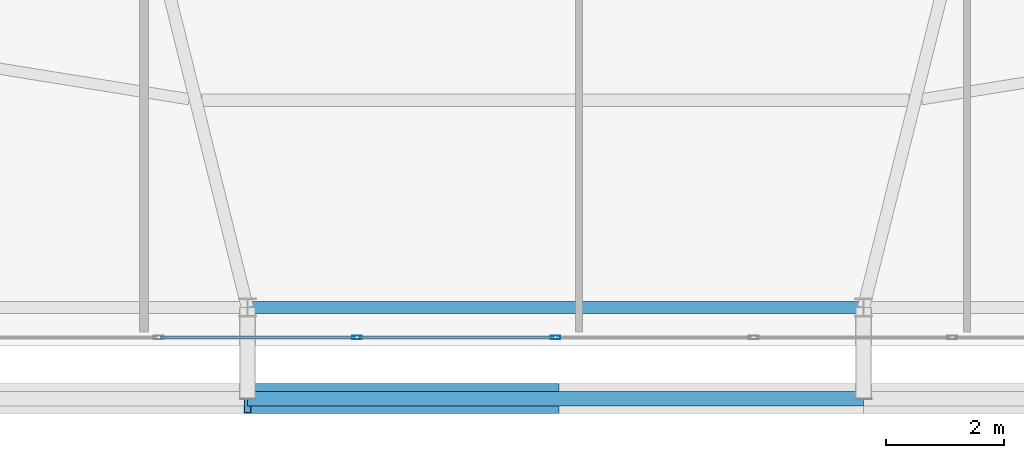
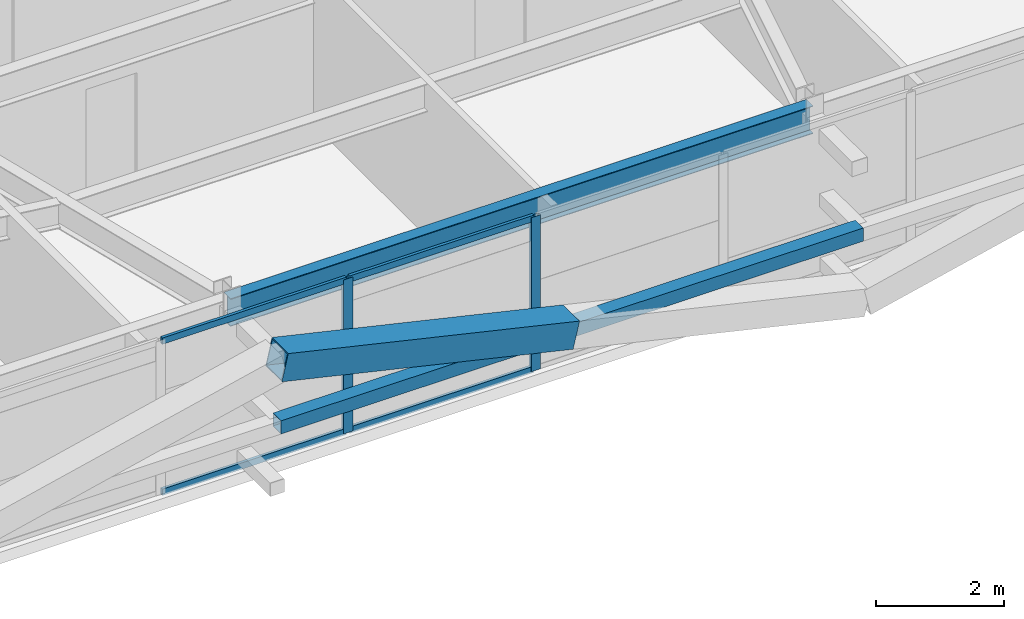
# One storey, part 12 of 58: 8 members, 1 beam, 1 element without a shape of its own.
"""IFC4 building model written with IfcOpenShell, lengths in metres."""

from ifc_helpers import new_model, si_unit, direction, frame, origin, origin_2d, place, context, subcontext, project, spatial, hollow_rectangle, i_section, extrude, source, transform, mapped, material, layer, layer_set, material_profile, profile_set, type_object, element, aggregate, save


model = new_model("IFC4")

# Units and contexts
model_context = context("Model", 3, precision=1e-05, world=origin(), true_north=direction((0.0, 1.0)))
body_context = subcontext(model_context, "Body", "Model", "MODEL_VIEW")
ifc_project = project(units=[si_unit("LENGTHUNIT", "METRE"), si_unit("AREAUNIT", "SQUARE_METRE"), si_unit("VOLUMEUNIT", "CUBIC_METRE"), si_unit("PLANEANGLEUNIT", "RADIAN"), si_unit("MASSUNIT", "GRAM", prefix="KILO")], contexts=[model_context])

# Site, building, storey
site_placement = place(None, origin())
site = spatial("IfcSite", under=ifc_project, at=site_placement, CompositionType="ELEMENT")
building_placement = place(site_placement, origin())
building = spatial("IfcBuilding", under=site, at=building_placement, Name="Taldren Reach Tower", CompositionType="ELEMENT")
storey_placement = place(building_placement, frame((0.0, 0.0, 32.550048828125)))
storey = spatial("IfcBuildingStorey", under=building, at=storey_placement, Name="L09", CompositionType="ELEMENT", Elevation=32.550048828125)

# Beam
ifc_material_1 = material(Name="Steel Gr 350 (350PLUS)", Category="steel")
ifc_material_profile_1 = material_profile(ifc_material_1, i_section(OverallWidth=0.208984375, OverallDepth=0.528076171875, WebThickness=0.009521484375, FlangeThickness=0.01318359375, at=origin_2d()), Name="530UB82.0")
ifc_profile_set_1 = profile_set([ifc_material_profile_1], Name="Steel Gr 350 (350PLUS)")
beam_type = type_object("IfcBeamType", Name="SP-UB530B", PredefinedType="SPANDREL", material=ifc_profile_set_1)
shared_shape_1 = source(origin(), body_context, "Body", "SweptSolid", [
    extrude(i_section(OverallWidth=0.208984375, OverallDepth=0.528076171875, WebThickness=0.009521484375, FlangeThickness=0.01318359375, at=origin_2d()), origin(), (0.0, 0.0, 1.0), 10.47998046875),
])
beam_placement = place(storey_placement, frame((29.760009765625, 2.14990234375, 2.666015625), z_axis=(1.0, 0.0, 0.0), x_axis=(0.0, 1.0, 0.0)))
element("IfcBeam", 1, at=beam_placement, inside=storey, type_object=beam_type, Name="Perimeter spandrel B1 S3-S4 L09", PredefinedType="SPANDREL", context=body_context, shape_type="MappedRepresentation", body=[
    mapped(shared_shape_1, transform((0.0, 0.0, 0.0), scale=1.0)),
])

# Members
ifc_material_2 = material(Name="Steel Gr 450 (C450L0)", Category="steel")
ifc_material_profile_2 = material_profile(ifc_material_2, hollow_rectangle(XDim=0.510009765625, YDim=0.510009765625, WallThickness=0.02001953125, at=origin_2d()), Name="510x510x20.0SHS")
ifc_profile_set_2 = profile_set([ifc_material_profile_2], Name="Steel Gr 450 (C450L0)")
member_type_1 = type_object("IfcMemberType", Name="MB-EXO508", PredefinedType="BRACE", material=ifc_profile_set_2)
shared_shape_2 = source(origin(), body_context, "Body", "SweptSolid", [
    extrude(hollow_rectangle(XDim=0.510009765625, YDim=0.510009765625, WallThickness=0.02001953125, at=origin_2d()), origin(), (0.0, 0.0, 1.0), 5.37890625),
])
member_1_placement = place(storey_placement, frame((35.0, 0.60009765625, 1.43505859375), z_axis=(-0.974161966843, 0.0, 0.225850531007), x_axis=(0.0, -1.0, 0.0)))
element("IfcMember", 2, at=member_1_placement, inside=storey, type_object=member_type_1, Name="Exoskeleton Diagrid Brace B1-S3 L09", PredefinedType="BRACE", context=body_context, shape_type="MappedRepresentation", body=[
    mapped(shared_shape_2, transform((0.0, 0.0, 0.0), scale=1.0)),
])
ifc_material_3 = material(Name="Steel Gr 350 (C350L0)", Category="steel")
ifc_material_profile_3 = material_profile(ifc_material_3, hollow_rectangle(XDim=0.25, YDim=0.25, WallThickness=0.010009765625, at=origin_2d()), Name="250x250x10.0SHS")
ifc_profile_set_3 = profile_set([ifc_material_profile_3], Name="Steel Gr 350 (C350L0)")
member_type_2 = type_object("IfcMemberType", Name="MB-POST250", PredefinedType="POST", material=ifc_profile_set_3)
shared_shape_3 = source(origin(), body_context, "Body", "SweptSolid", [
    extrude(hollow_rectangle(XDim=0.25, YDim=0.25, WallThickness=0.010009765625, at=origin_2d()), origin(), (0.0, 0.0, 1.0), 10.47998046875),
])
member_2_placement = place(storey_placement, frame((29.760009765625, 0.60009765625, 1.43505859375), z_axis=(1.0, 0.0, 0.0), x_axis=(0.0, 1.0, 0.0)))
element("IfcMember", 3, at=member_2_placement, inside=storey, type_object=member_type_2, Name="Exoskeleton mid-height ring chord B1-S3 L09", PredefinedType="POST", context=body_context, shape_type="MappedRepresentation", body=[
    mapped(shared_shape_3, transform((0.0, 0.0, 0.0), scale=1.0)),
])

# Curtain wall, members
ifc_material_4 = material(Name="Aluminium and Low-E Glass Unitised System", Category="aluminium")
ifc_layer = layer(ifc_material_4, 0.159912109375)
ifc_layer_set = layer_set([ifc_layer], Name="Aluminium and Low-E Glass Unitised System")
curtain_wall_type = type_object("IfcCurtainWallType", Name="CW-SYS-2", PredefinedType="NOTDEFINED", material=ifc_layer_set)
curtain_wall_placement = place(storey_placement, origin())
curtain_wall = element("IfcCurtainWall", 4, at=curtain_wall_placement, inside=storey, type_object=curtain_wall_type, Name="Unitised curtain wall CW-L09-S", PredefinedType="NOTDEFINED")
ifc_material_5 = material(Name="Anodised Aluminium 6063-T6", Category="aluminium")
ifc_material_profile_4 = material_profile(ifc_material_5, hollow_rectangle(XDim=0.06494140625, YDim=0.1650390625, WallThickness=0.00390625, at=origin_2d()), Name="ALU-165x65x4RHS")
ifc_profile_set_4 = profile_set([ifc_material_profile_4], Name="Anodised Aluminium 6063-T6")
member_type_3 = type_object("IfcMemberType", Name="CW-MUL-165", PredefinedType="MULLION", material=ifc_profile_set_4)
shared_shape_4 = source(origin(), body_context, "Body", "SweptSolid", [
    extrude(hollow_rectangle(XDim=0.06494140625, YDim=0.1650390625, WallThickness=0.00390625, at=origin_2d()), origin(), (0.0, 0.0, 1.0), 2.929931640625),
])
member_3_placement = place(storey_placement, frame((31.625, 1.639892578125, 0.0), z_axis=(0.0, 0.0, 1.0), x_axis=(0.0, 1.0, 0.0)))
member_3 = element("IfcMember", 5, at=member_3_placement, type_object=member_type_3, Name="CW-2 mullion 8", PredefinedType="MULLION", context=body_context, shape_type="MappedRepresentation", body=[
    mapped(shared_shape_4, transform((0.0, 0.0, 0.0), scale=1.0)),
])
member_4_placement = place(storey_placement, frame((35.0, 1.639892578125, 0.0), z_axis=(0.0, 0.0, 1.0), x_axis=(0.0, 1.0, 0.0)))
member_4 = element("IfcMember", 6, at=member_4_placement, type_object=member_type_3, Name="CW-2 mullion 9", PredefinedType="MULLION", context=body_context, shape_type="MappedRepresentation", body=[
    mapped(shared_shape_4, transform((0.0, 0.0, 0.0), scale=1.0)),
])
ifc_material_profile_5 = material_profile(ifc_material_5, hollow_rectangle(XDim=0.054931640625, YDim=0.1201171875, WallThickness=0.0029296875, at=origin_2d()), Name="ALU-120x55x3RHS")
ifc_profile_set_5 = profile_set([ifc_material_profile_5], Name="Anodised Aluminium 6063-T6")
member_type_4 = type_object("IfcMemberType", Name="CW-TRN-135", PredefinedType="USERDEFINED", material=ifc_profile_set_5)
shared_shape_5 = source(origin(), body_context, "Body", "SweptSolid", [
    extrude(hollow_rectangle(XDim=0.054931640625, YDim=0.1201171875, WallThickness=0.0029296875, at=origin_2d()), origin(), (0.0, 0.0, 1.0), 3.31005859375),
])
member_5_placement = place(storey_placement, frame((28.282470703125, 1.639892578125, 0.02734375), z_axis=(1.0, 0.0, 0.0), x_axis=(0.0, 1.0, 0.0)))
member_5 = element("IfcMember", 7, at=member_5_placement, type_object=member_type_4, Name="CW-2 transom 7.1", ObjectType="TRANSOM", PredefinedType="USERDEFINED", context=body_context, shape_type="MappedRepresentation", body=[
    mapped(shared_shape_5, transform((0.0, 0.0, 0.0), scale=1.0)),
])
member_6_placement = place(storey_placement, frame((28.282470703125, 1.639892578125, 2.90234375), z_axis=(1.0, 0.0, 0.0), x_axis=(0.0, 1.0, 0.0)))
member_6 = element("IfcMember", 8, at=member_6_placement, type_object=member_type_4, Name="CW-2 transom 7.2", ObjectType="TRANSOM", PredefinedType="USERDEFINED", context=body_context, shape_type="MappedRepresentation", body=[
    mapped(shared_shape_5, transform((0.0, 0.0, 0.0), scale=1.0)),
])
member_7_placement = place(storey_placement, frame((31.657470703125, 1.639892578125, 0.02734375), z_axis=(1.0, 0.0, 0.0), x_axis=(0.0, 1.0, 0.0)))
member_7 = element("IfcMember", 9, at=member_7_placement, type_object=member_type_4, Name="CW-2 transom 8.1", ObjectType="TRANSOM", PredefinedType="USERDEFINED", context=body_context, shape_type="MappedRepresentation", body=[
    mapped(shared_shape_5, transform((0.0, 0.0, 0.0), scale=1.0)),
])
member_8_placement = place(storey_placement, frame((31.657470703125, 1.639892578125, 2.90234375), z_axis=(1.0, 0.0, 0.0), x_axis=(0.0, 1.0, 0.0)))
member_8 = element("IfcMember", 10, at=member_8_placement, type_object=member_type_4, Name="CW-2 transom 8.2", ObjectType="TRANSOM", PredefinedType="USERDEFINED", context=body_context, shape_type="MappedRepresentation", body=[
    mapped(shared_shape_5, transform((0.0, 0.0, 0.0), scale=1.0)),
])
aggregate(curtain_wall, [member_3, member_4, member_5, member_6, member_7, member_8])

save(model, "model.ifc")
